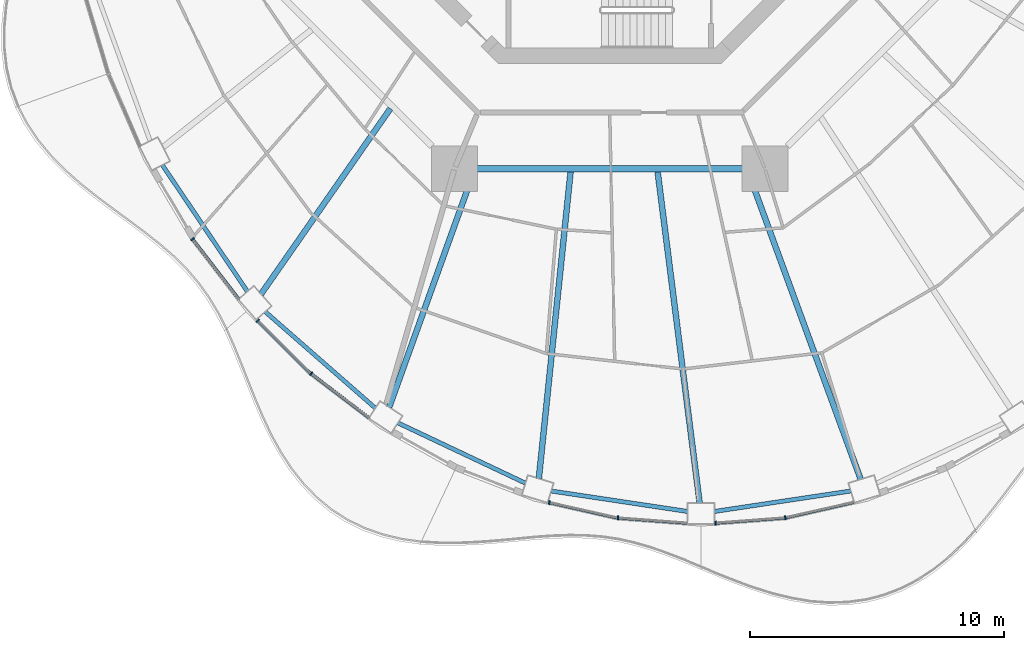
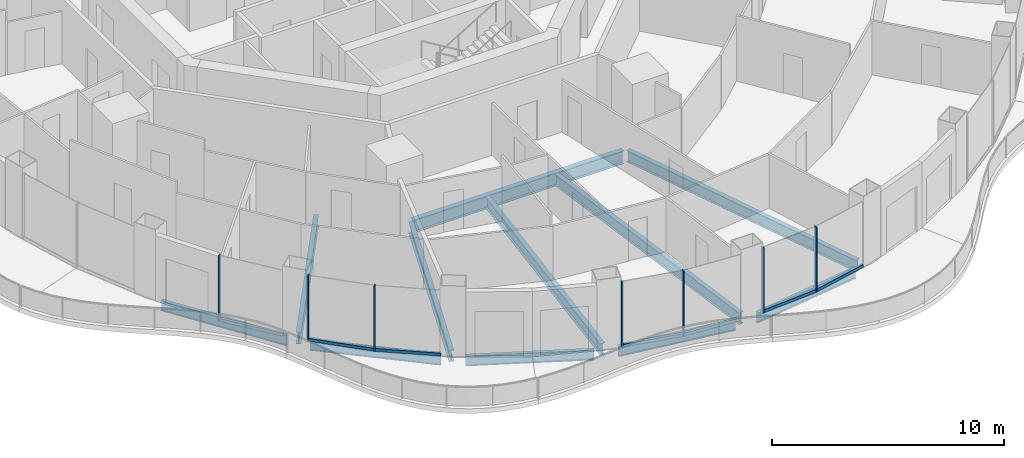
# One storey, part 2 of 19: 14 members, 11 beams, 7 elements without a shape of their own.
"""IFC4 building model written with IfcOpenShell, lengths in metres."""

import ifcopenshell
import ifcopenshell.guid

model = None  # the IFC model being written
_history = None  # IfcOwnerHistory: only IFC2X3 demands one
_inside = {}  # id of a spatial element -> (the spatial element, [elements in it])
_under = {}  # id of a project, library or spatial element -> (it, [spatial elements below it])
_declared = {}  # id of a project -> (the project, [libraries it declares])
_typed = {}  # id of a type object -> (the type object, [elements of that type])
_made_of = {}  # id of a material, layer set ... -> (it, [elements and type objects made of it])


def new_model(schema):
    """Start an empty IFC model of exactly this schema.

    Asked for "IFC4X3", IfcOpenShell would pick the latest addendum, in which some entities
    have other attributes; the version numbers below select the first issue.
    IFC2X3 requires an IfcOwnerHistory on every rooted entity: one is made here for all.
    """
    global model, _history
    if schema == "IFC4X3":
        model = ifcopenshell.file(schema_version=(4, 3, 0, 0))
    else:
        model = ifcopenshell.file(schema=schema)
    _inside.clear()
    _under.clear()
    _declared.clear()
    _typed.clear()
    _made_of.clear()
    _history = None
    if model.schema == "IFC2X3":
        org = make("IfcOrganization", Name="unknown")
        user = make(
            "IfcPersonAndOrganization",
            ThePerson=make("IfcPerson", FamilyName="unknown"),
            TheOrganization=org,
        )
        app = make(
            "IfcApplication",
            ApplicationDeveloper=org,
            Version="unknown",
            ApplicationFullName="unknown",
            ApplicationIdentifier="unknown",
        )
        _history = make(
            "IfcOwnerHistory",
            OwningUser=user,
            OwningApplication=app,
            ChangeAction="ADDED",
            CreationDate=0,
        )
    return model


def make(cls, **values):
    """One entity of the class cls with the attributes given. An attribute that is None is left unset."""
    return model.create_entity(
        cls, **{name: value for name, value in values.items() if value is not None}
    )


def rooted(cls, **values):
    """An entity with a GlobalId (a new one), such as an element, a storey or a relation."""
    return make(cls, GlobalId=ifcopenshell.guid.new(), OwnerHistory=_history, **values)


def si_unit(unit_type, name, prefix=None):
    """IfcSIUnit, for example si_unit("LENGTHUNIT", "METRE", prefix="MILLI")."""
    return make("IfcSIUnit", UnitType=unit_type, Prefix=prefix, Name=name)


def assignment(units):
    """IfcUnitAssignment: the units of a project."""
    return None if units is None else make("IfcUnitAssignment", Units=units)


def point(xyz):
    """IfcCartesianPoint."""
    return None if xyz is None else make("IfcCartesianPoint", Coordinates=xyz)


def direction(xyz):
    """IfcDirection."""
    return None if xyz is None else make("IfcDirection", DirectionRatios=xyz)


def frame(location, z_axis=None, x_axis=None):
    """IfcAxis2Placement3D, a coordinate frame: its origin and axes. An axis left out is left unset."""
    return make(
        "IfcAxis2Placement3D",
        Location=point(location),
        Axis=direction(z_axis),
        RefDirection=direction(x_axis),
    )


def frame_2d(location, x_axis=None):
    """IfcAxis2Placement2D, a coordinate frame in the plane: its origin and x axis."""
    return make(
        "IfcAxis2Placement2D", Location=point(location), RefDirection=direction(x_axis)
    )


def origin():
    """The frame at (0, 0, 0) with its axes left unset."""
    return frame((0.0, 0.0, 0.0))


def origin_2d():
    """The frame at (0, 0) in the plane with its x axis left unset."""
    return frame_2d((0.0, 0.0))


def place(relative_to, where):
    """IfcLocalPlacement: puts the frame where relative to a parent placement (None: the world)."""
    return make(
        "IfcLocalPlacement", PlacementRelTo=relative_to, RelativePlacement=where
    )


def context(
    kind, dimensions, precision=None, world=None, true_north=None, identifier=None
):
    """IfcGeometricRepresentationContext, for example the 3D "Model" context."""
    return make(
        "IfcGeometricRepresentationContext",
        ContextIdentifier=identifier,
        ContextType=kind,
        CoordinateSpaceDimension=dimensions,
        Precision=precision,
        WorldCoordinateSystem=world,
        TrueNorth=true_north,
    )


def subcontext(parent, identifier, kind, view, scale=None):
    """IfcGeometricRepresentationSubContext, for example "Body" below "Model"."""
    return make(
        "IfcGeometricRepresentationSubContext",
        ContextIdentifier=identifier,
        ContextType=kind,
        ParentContext=parent,
        TargetScale=scale,
        TargetView=view,
    )


def project(units=None, contexts=None):
    """IfcProject with its units and contexts."""
    return rooted(
        "IfcProject",
        Name="project",
        RepresentationContexts=contexts,
        UnitsInContext=assignment(units),
    )


def spatial(cls, under=None, at=None, **own):
    """A site, building, storey or space (cls), placed at a placement, below another one or the project."""
    s = rooted(cls, ObjectPlacement=at, **own)
    if under is not None:
        _under.setdefault(under.id(), (under, []))[1].append(s)
    return s


def profile(cls, at=None, kind="AREA", **sizes):
    """A parametric profile (cls). Its sizes go by their IFC names, for example OverallWidth=200.0."""
    return make(cls, ProfileType=kind, Position=at, **sizes)


def rectangle(**sizes):
    """IfcRectangleProfileDef."""
    return profile("IfcRectangleProfileDef", **sizes)


def i_section(**sizes):
    """IfcIShapeProfileDef."""
    return profile("IfcIShapeProfileDef", **sizes)


def extrude(swept, where, along, depth):
    """IfcExtrudedAreaSolid: the profile swept, set in the frame where, extruded along a direction by depth."""
    return make(
        "IfcExtrudedAreaSolid",
        SweptArea=swept,
        Position=where,
        ExtrudedDirection=direction(along),
        Depth=depth,
    )


def shape(context_of_items, identifier, shape_type, items):
    """IfcShapeRepresentation: the items that make up one representation, for example the "Body"."""
    return make(
        "IfcShapeRepresentation",
        ContextOfItems=context_of_items,
        RepresentationIdentifier=identifier,
        RepresentationType=shape_type,
        Items=items,
    )


def material(Name=None, Category=None):
    """IfcMaterial."""
    return make("IfcMaterial", Name=Name, Category=Category)


def layer(
    of_material, thickness, ventilated=None, Name=None, Category=None, Priority=None
):
    """IfcMaterialLayer: one layer of a wall or slab, of a material (None: an air gap)."""
    return make(
        "IfcMaterialLayer",
        Material=of_material,
        LayerThickness=thickness,
        IsVentilated=ventilated,
        Name=Name,
        Category=Category,
        Priority=Priority,
    )


def layer_set(layers, Name=None):
    """IfcMaterialLayerSet."""
    return make("IfcMaterialLayerSet", MaterialLayers=layers, LayerSetName=Name)


def material_profile(
    of_material, cross_section, Name=None, Category=None, Priority=None
):
    """IfcMaterialProfile: a cross section and its material."""
    return make(
        "IfcMaterialProfile",
        Name=Name,
        Material=of_material,
        Profile=cross_section,
        Priority=Priority,
        Category=Category,
    )


def profile_set(profiles, Name=None, composite=None):
    """IfcMaterialProfileSet."""
    return make(
        "IfcMaterialProfileSet",
        Name=Name,
        MaterialProfiles=profiles,
        CompositeProfile=composite,
    )


def made_of(thing, what):
    """Note that an element or type object is made of a material, layer set ...; save() writes the relation."""
    if what is not None:
        _made_of.setdefault(what.id(), (what, []))[1].append(thing)
    return thing


def type_object(cls, material=None, **own):
    """A type object (cls), such as IfcWallType, which elements share."""
    return made_of(rooted(cls, **own), material)


def element(
    cls,
    number,
    at=None,
    inside=None,
    cuts=None,
    type_object=None,
    material=None,
    context=None,
    identifier="Body",
    shape_type=None,
    held_by="IfcProductDefinitionShape",
    body=None,
    shapes=None,
    **own,
):
    """One element of the class cls, such as IfcWall. Its Tag is "e" and its number.

    at: its placement. inside: the storey or other place that contains it. cuts: it is an
    opening in that element (IfcRelVoidsElement). A single representation is given by context,
    identifier, shape_type and body (its items); several are given by shapes. held_by: the class
    of the entity that holds the representations. save() writes the other relations.
    """
    e = rooted(cls, Tag="e%d" % number, ObjectPlacement=at, **own)
    if body is not None:
        shapes = [shape(context, identifier, shape_type, body)]
    if shapes is not None:
        e.Representation = make(held_by, Representations=shapes)
    if inside is not None:
        _inside.setdefault(inside.id(), (inside, []))[1].append(e)
    if cuts is not None:
        rooted(
            "IfcRelVoidsElement", RelatingBuildingElement=cuts, RelatedOpeningElement=e
        )
    if type_object is not None:
        _typed.setdefault(type_object.id(), (type_object, []))[1].append(e)
    return made_of(e, material)


def aggregate(whole, parts):
    """IfcRelAggregates: a whole, such as a stair, and the parts it consists of."""
    return rooted("IfcRelAggregates", RelatingObject=whole, RelatedObjects=parts)


def save(model, path):
    """Write the relations noted so far, then the file.

    IfcRelAggregates (storeys below a building ...), IfcRelContainedInSpatialStructure (elements
    in a storey), IfcRelDefinesByType, IfcRelAssociatesMaterial and IfcRelDeclares: one each for
    every whole, place, type object, material and project.
    """
    for whole, parts in _under.values():
        aggregate(whole, parts)
    for where, things in _inside.values():
        rooted(
            "IfcRelContainedInSpatialStructure",
            RelatedElements=things,
            RelatingStructure=where,
        )
    for kind, things in _typed.values():
        rooted("IfcRelDefinesByType", RelatedObjects=things, RelatingType=kind)
    for what, things in _made_of.values():
        rooted("IfcRelAssociatesMaterial", RelatedObjects=things, RelatingMaterial=what)
    for by, libraries in _declared.values():
        rooted("IfcRelDeclares", RelatingContext=by, RelatedDefinitions=libraries)
    model.write(path)


model = new_model("IFC4")

# Units and contexts
model_context = context("Model", 3, precision=1e-05, world=origin(), true_north=direction((0.0, 1.0)))
body_context = subcontext(model_context, "Body", "Model", "MODEL_VIEW")
ifc_project = project(units=[si_unit("LENGTHUNIT", "METRE"), si_unit("AREAUNIT", "SQUARE_METRE"), si_unit("VOLUMEUNIT", "CUBIC_METRE"), si_unit("PLANEANGLEUNIT", "RADIAN"), si_unit("MASSUNIT", "GRAM", prefix="KILO")], contexts=[model_context])

# Site, building, storey
site_placement = place(None, origin())
site = spatial("IfcSite", under=ifc_project, at=site_placement, CompositionType="ELEMENT")
building_placement = place(site_placement, origin())
building = spatial("IfcBuilding", under=site, at=building_placement, Name="Nagisa Residences", CompositionType="ELEMENT")
storey_placement = place(building_placement, frame((0.0, 0.0, 184.39990234375)))
storey = spatial("IfcBuildingStorey", under=building, at=storey_placement, Name="L46", CompositionType="ELEMENT", Elevation=184.39990234375)

# Curtain wall, member
ifc_material_1 = material(Name="Concrete-coloured aluminium curtain wall system", Category="concrete")
ifc_layer = layer(ifc_material_1, 0.159912109375)
ifc_layer_set = layer_set([ifc_layer], Name="CW1 CURTAIN WALL")
curtain_wall_type = type_object("IfcCurtainWallType", Name="CW1 CURTAIN WALL", PredefinedType="NOTDEFINED", material=ifc_layer_set)
curtain_wall_1_placement = place(storey_placement, origin())
curtain_wall_1 = element("IfcCurtainWall", 1, at=curtain_wall_1_placement, inside=storey, type_object=curtain_wall_type, Name="cw:CW1:L46:29", PredefinedType="NOTDEFINED")
ifc_material_2 = material(Name="Concrete-coloured aluminium", Category="concrete")
ifc_material_profile_1 = material_profile(ifc_material_2, rectangle(XDim=0.159912109375, YDim=0.06005859375, at=origin_2d()), Name="CW1 MULLION 160x60")
ifc_profile_set_1 = profile_set([ifc_material_profile_1], Name="Concrete-coloured aluminium")
member_type_1 = type_object("IfcMemberType", Name="CW1 MULLION 160x60", PredefinedType="MULLION", material=ifc_profile_set_1)
member_1_placement = place(storey_placement, frame((-16.44970703125, -17.552978515625, 0.0), z_axis=(0.0, 0.0, 1.0), x_axis=(0.792070340816, 0.610429828235, 0.0)))
member_1 = element("IfcMember", 2, at=member_1_placement, type_object=member_type_1, Name="CW1 mullion", PredefinedType="MULLION", context=body_context, shape_type="SweptSolid", body=[
    extrude(rectangle(XDim=0.159912109375, YDim=0.06005859375, at=origin_2d()), origin(), (0.0, 0.0, 1.0), 3.440185546875),
])

curtain_wall_2_placement = place(storey_placement, origin())
curtain_wall_2 = element("IfcCurtainWall", 3, at=curtain_wall_2_placement, inside=storey, type_object=curtain_wall_type, Name="cw:CW1:L46:30", PredefinedType="NOTDEFINED")
member_2_placement = place(storey_placement, frame((-13.875732421875, -20.770751953125, 0.0), z_axis=(0.0, 0.0, 1.0), x_axis=(0.706376885714, 0.707835924016, 0.0)))
member_2 = element("IfcMember", 4, at=member_2_placement, type_object=member_type_1, Name="CW1 mullion", PredefinedType="MULLION", context=body_context, shape_type="SweptSolid", body=[
    extrude(rectangle(XDim=0.159912109375, YDim=0.06005859375, at=origin_2d()), origin(), (0.0, 0.0, 1.0), 3.440185546875),
])

curtain_wall_3_placement = place(storey_placement, origin())
curtain_wall_3 = element("IfcCurtainWall", 5, at=curtain_wall_3_placement, inside=storey, type_object=curtain_wall_type, Name="cw:CW1:L46:31", PredefinedType="NOTDEFINED")
member_3_placement = place(storey_placement, frame((-11.77490234375, -22.862548828125, 0.0), z_axis=(0.0, 0.0, 1.0), x_axis=(0.605255421737, 0.79603132756, 0.0)))
member_3 = element("IfcMember", 6, at=member_3_placement, type_object=member_type_1, Name="CW1 mullion", PredefinedType="MULLION", context=body_context, shape_type="SweptSolid", body=[
    extrude(rectangle(XDim=0.159912109375, YDim=0.06005859375, at=origin_2d()), origin(), (0.0, 0.0, 1.0), 3.440185546875),
])

curtain_wall_4_placement = place(storey_placement, origin())
curtain_wall_4 = element("IfcCurtainWall", 7, at=curtain_wall_4_placement, inside=storey, type_object=curtain_wall_type, Name="cw:CW1:L46:34", PredefinedType="NOTDEFINED")
member_4_placement = place(storey_placement, frame((-2.38427734375, -27.941162109375, 0.0), z_axis=(0.0, 0.0, 1.0), x_axis=(0.2207639201, 0.975327274089, 0.0)))
member_4 = element("IfcMember", 8, at=member_4_placement, type_object=member_type_1, Name="CW1 mullion", PredefinedType="MULLION", context=body_context, shape_type="SweptSolid", body=[
    extrude(rectangle(XDim=0.159912109375, YDim=0.06005859375, at=origin_2d()), origin(), (0.0, 0.0, 1.0), 3.440185546875),
])

curtain_wall_5_placement = place(storey_placement, origin())
curtain_wall_5 = element("IfcCurtainWall", 9, at=curtain_wall_5_placement, inside=storey, type_object=curtain_wall_type, Name="cw:CW1:L46:35", PredefinedType="NOTDEFINED")
member_5_placement = place(storey_placement, frame((0.32373046875, -28.550537109375, 0.0), z_axis=(0.0, 0.0, 1.0), x_axis=(0.074377355493, 0.997230168512, 0.0)))
member_5 = element("IfcMember", 10, at=member_5_placement, type_object=member_type_1, Name="CW1 mullion", PredefinedType="MULLION", context=body_context, shape_type="SweptSolid", body=[
    extrude(rectangle(XDim=0.159912109375, YDim=0.06005859375, at=origin_2d()), origin(), (0.0, 0.0, 1.0), 3.440185546875),
])

curtain_wall_6_placement = place(storey_placement, origin())
curtain_wall_6 = element("IfcCurtainWall", 11, at=curtain_wall_6_placement, inside=storey, type_object=curtain_wall_type, Name="cw:CW1:L46:36", PredefinedType="NOTDEFINED")
member_6_placement = place(storey_placement, frame((4.17236328125, -28.752197265625, 0.0), z_axis=(0.0, 0.0, 1.0), x_axis=(-0.074377355493, 0.997230168512, 0.0)))
member_6 = element("IfcMember", 12, at=member_6_placement, type_object=member_type_1, Name="CW1 mullion", PredefinedType="MULLION", context=body_context, shape_type="SweptSolid", body=[
    extrude(rectangle(XDim=0.159912109375, YDim=0.06005859375, at=origin_2d()), origin(), (0.0, 0.0, 1.0), 3.440185546875),
])

curtain_wall_7_placement = place(storey_placement, origin())
curtain_wall_7 = element("IfcCurtainWall", 13, at=curtain_wall_7_placement, inside=storey, type_object=curtain_wall_type, Name="cw:CW1:L46:37", PredefinedType="NOTDEFINED")
member_7_placement = place(storey_placement, frame((6.923583984375, -28.543212890625, 0.0), z_axis=(0.0, 0.0, 1.0), x_axis=(-0.2207639201, 0.975327274089, 0.0)))
member_7 = element("IfcMember", 14, at=member_7_placement, type_object=member_type_1, Name="CW1 mullion", PredefinedType="MULLION", context=body_context, shape_type="SweptSolid", body=[
    extrude(rectangle(XDim=0.159912109375, YDim=0.06005859375, at=origin_2d()), origin(), (0.0, 0.0, 1.0), 3.440185546875),
])

# Member
ifc_material_3 = material(Name="Concrete-coloured aluminium", Category="concrete")
ifc_material_profile_2 = material_profile(ifc_material_3, rectangle(XDim=0.1201171875, YDim=0.14990234375, at=origin_2d()), Name="CW1 TRANSOM 120x150")
ifc_profile_set_2 = profile_set([ifc_material_profile_2], Name="Concrete-coloured aluminium")
member_type_2 = type_object("IfcMemberType", Name="CW1 TRANSOM 120x150", PredefinedType="USERDEFINED", material=ifc_profile_set_2)
member_8_placement = place(storey_placement, frame((-16.468017578125, -17.529052734375, 0.0751953125), z_axis=(0.610398538814, -0.792094453846, 0.0), x_axis=(0.792094453846, 0.610398538814, 0.0)))
member_8 = element("IfcMember", 15, at=member_8_placement, type_object=member_type_2, Name="CW1 transom", ObjectType="TRANSOM", PredefinedType="USERDEFINED", context=body_context, shape_type="SweptSolid", body=[
    extrude(rectangle(XDim=0.1201171875, YDim=0.14990234375, at=origin_2d()), origin(), (0.0, 0.0, 1.0), 3.035400390625),
])

aggregate(curtain_wall_1, [member_1, member_8])

member_9_placement = place(storey_placement, frame((-13.89697265625, -20.74951171875, 0.0751953125), z_axis=(0.707803821372, -0.706409053206, 0.0), x_axis=(0.706409053206, 0.707803821372, 0.0)))
member_9 = element("IfcMember", 16, at=member_9_placement, type_object=member_type_2, Name="CW1 transom", ObjectType="TRANSOM", PredefinedType="USERDEFINED", context=body_context, shape_type="SweptSolid", body=[
    extrude(rectangle(XDim=0.1201171875, YDim=0.14990234375, at=origin_2d()), origin(), (0.0, 0.0, 1.0), 2.9755859375),
])

aggregate(curtain_wall_2, [member_2, member_9])

member_10_placement = place(storey_placement, frame((-11.798828125, -22.844482421875, 0.0751953125), z_axis=(0.796055733703, -0.60522332146, 0.0), x_axis=(0.60522332146, 0.796055733703, 0.0)))
member_10 = element("IfcMember", 17, at=member_10_placement, type_object=member_type_2, Name="CW1 transom", ObjectType="TRANSOM", PredefinedType="USERDEFINED", context=body_context, shape_type="SweptSolid", body=[
    extrude(rectangle(XDim=0.1201171875, YDim=0.14990234375, at=origin_2d()), origin(), (0.0, 0.0, 1.0), 2.9169921875),
])

aggregate(curtain_wall_3, [member_3, member_10])

member_11_placement = place(storey_placement, frame((-2.413330078125, -27.9345703125, 0.0751953125), z_axis=(0.975324329911, -0.220776926974, 0.0), x_axis=(0.220776926974, 0.975324329911, 0.0)))
member_11 = element("IfcMember", 18, at=member_11_placement, type_object=member_type_2, Name="CW1 transom", ObjectType="TRANSOM", PredefinedType="USERDEFINED", context=body_context, shape_type="SweptSolid", body=[
    extrude(rectangle(XDim=0.1201171875, YDim=0.14990234375, at=origin_2d()), origin(), (0.0, 0.0, 1.0), 2.787841796875),
])

aggregate(curtain_wall_4, [member_4, member_11])

member_12_placement = place(storey_placement, frame((0.2939453125, -28.548095703125, 0.0751953125), z_axis=(0.99722504052, -0.074446078208, 0.0), x_axis=(0.074446078208, 0.99722504052, 0.0)))
member_12 = element("IfcMember", 19, at=member_12_placement, type_object=member_type_2, Name="CW1 transom", ObjectType="TRANSOM", PredefinedType="USERDEFINED", context=body_context, shape_type="SweptSolid", body=[
    extrude(rectangle(XDim=0.1201171875, YDim=0.14990234375, at=origin_2d()), origin(), (0.0, 0.0, 1.0), 2.77099609375),
])

aggregate(curtain_wall_5, [member_5, member_12])

member_13_placement = place(storey_placement, frame((4.142578125, -28.75439453125, 0.0751953125), z_axis=(0.997225528735, 0.074439538143, 0.0), x_axis=(-0.074439538143, 0.997225528735, 0.0)))
member_13 = element("IfcMember", 20, at=member_13_placement, type_object=member_type_2, Name="CW1 transom", ObjectType="TRANSOM", PredefinedType="USERDEFINED", context=body_context, shape_type="SweptSolid", body=[
    extrude(rectangle(XDim=0.1201171875, YDim=0.14990234375, at=origin_2d()), origin(), (0.0, 0.0, 1.0), 2.771240234375),
])

aggregate(curtain_wall_6, [member_6, member_13])

member_14_placement = place(storey_placement, frame((6.89453125, -28.550048828125, 0.0751953125), z_axis=(0.975324329911, 0.220776926974, 0.0), x_axis=(-0.220776926974, 0.975324329911, 0.0)))
member_14 = element("IfcMember", 21, at=member_14_placement, type_object=member_type_2, Name="CW1 transom", ObjectType="TRANSOM", PredefinedType="USERDEFINED", context=body_context, shape_type="SweptSolid", body=[
    extrude(rectangle(XDim=0.1201171875, YDim=0.14990234375, at=origin_2d()), origin(), (0.0, 0.0, 1.0), 2.787841796875),
])

aggregate(curtain_wall_7, [member_7, member_14])

# Beams
ifc_material_4 = material(Name="Steel ASTM A572 Gr 50", Category="steel")
ifc_material_profile_3 = material_profile(ifc_material_4, i_section(OverallWidth=0.25390625, OverallDepth=0.68408203125, WebThickness=0.012451171875, FlangeThickness=0.018798828125, at=origin_2d()), Name="W690x140")
ifc_profile_set_3 = profile_set([ifc_material_profile_3], Name="Steel ASTM A572 Gr 50")
beam_type_1 = type_object("IfcBeamType", Name="Inner ring beam W690x140", PredefinedType="BEAM", material=ifc_profile_set_3)
beam_1_placement = place(storey_placement, frame((-5.242919921875, -14.781982421875, -0.601806640625), z_axis=(1.0, 0.0, 0.0), x_axis=(0.0, 1.0, 0.0)))
element("IfcBeam", 22, at=beam_1_placement, inside=storey, type_object=beam_type_1, Name="beam:L46:ib6", PredefinedType="BEAM", context=body_context, shape_type="SweptSolid", body=[
    extrude(i_section(OverallWidth=0.25390625, OverallDepth=0.68408203125, WebThickness=0.012451171875, FlangeThickness=0.018798828125, at=origin_2d()), origin(), (0.0, 0.0, 1.0), 10.48583984375),
])
ifc_material_5 = material(Name="Steel ASTM A572 Gr 50", Category="steel")
ifc_material_profile_4 = material_profile(ifc_material_5, i_section(OverallWidth=0.166015625, OverallDepth=0.534912109375, WebThickness=0.01025390625, FlangeThickness=0.0166015625, at=origin_2d()), Name="W530x85")
ifc_profile_set_4 = profile_set([ifc_material_profile_4], Name="Steel ASTM A572 Gr 50")
beam_type_2 = type_object("IfcBeamType", Name="Perimeter ring beam W530x85", PredefinedType="BEAM", material=ifc_profile_set_4)
beam_2_placement = place(storey_placement, frame((-17.644287109375, -14.630615234375, -0.52734375), z_axis=(0.558152301307, -0.829738518177, 0.0), x_axis=(0.829738518177, 0.558152301307, 0.0)))
element("IfcBeam", 23, at=beam_2_placement, inside=storey, type_object=beam_type_2, Name="beam:L46:pb15", PredefinedType="BEAM", context=body_context, shape_type="SweptSolid", body=[
    extrude(i_section(OverallWidth=0.166015625, OverallDepth=0.534912109375, WebThickness=0.01025390625, FlangeThickness=0.0166015625, at=origin_2d()), origin(), (0.0, 0.0, 1.0), 6.013916015625),
])
beam_3_placement = place(storey_placement, frame((-13.5869140625, -20.416259765625, -0.52734375), z_axis=(0.752461486776, -0.658636250838, 0.0), x_axis=(0.658636250838, 0.752461486776, 0.0)))
element("IfcBeam", 24, at=beam_3_placement, inside=storey, type_object=beam_type_2, Name="beam:L46:pb16", PredefinedType="BEAM", context=body_context, shape_type="SweptSolid", body=[
    extrude(i_section(OverallWidth=0.166015625, OverallDepth=0.534912109375, WebThickness=0.01025390625, FlangeThickness=0.0166015625, at=origin_2d()), origin(), (0.0, 0.0, 1.0), 5.776611328125),
])
beam_4_placement = place(storey_placement, frame((-8.353515625, -24.80224609375, -0.52734375), z_axis=(0.904157325884, -0.427199637232, 0.0), x_axis=(0.427199637232, 0.904157325884, 0.0)))
element("IfcBeam", 25, at=beam_4_placement, inside=storey, type_object=beam_type_2, Name="beam:L46:pb17", PredefinedType="BEAM", context=body_context, shape_type="SweptSolid", body=[
    extrude(i_section(OverallWidth=0.166015625, OverallDepth=0.534912109375, WebThickness=0.01025390625, FlangeThickness=0.0166015625, at=origin_2d()), origin(), (0.0, 0.0, 1.0), 5.56396484375),
])
for number, where, z_axis, x_axis, name in (
    (26, (-2.30810546875, -27.48779296875, -0.52734375), (0.988911312658, -0.148507291732, 0.0), (0.148507291732, 0.988911312658, 0.0), "beam:L46:pb18"),
    (27, (4.130126953125, -28.29541015625, -0.52734375), (0.988911312658, 0.148507291732, 0.0), (-0.148507291732, 0.988911312658, 0.0), "beam:L46:pb19"),
):
    element("IfcBeam", number, at=place(storey_placement, frame(where, z_axis=z_axis, x_axis=x_axis)), inside=storey, type_object=beam_type_2, Name=name, PredefinedType="BEAM", context=body_context, shape_type="SweptSolid", body=[
        extrude(i_section(OverallWidth=0.166015625, OverallDepth=0.534912109375, WebThickness=0.01025390625, FlangeThickness=0.0166015625, at=origin_2d()), origin(), (0.0, 0.0, 1.0), 5.438232421875),
    ])
ifc_material_6 = material(Name="Steel ASTM A572 Gr 50", Category="steel")
ifc_material_profile_5 = material_profile(ifc_material_6, i_section(OverallWidth=0.22802734375, OverallDepth=0.60302734375, WebThickness=0.010498046875, FlangeThickness=0.014892578125, at=origin_2d()), Name="W610x101")
ifc_profile_set_5 = profile_set([ifc_material_profile_5], Name="Steel ASTM A572 Gr 50")
beam_type_3 = type_object("IfcBeamType", Name="Radial beam W610x101", PredefinedType="BEAM", material=ifc_profile_set_5)
beam_5_placement = place(storey_placement, frame((-13.75048828125, -19.7216796875, -0.5615234375), z_axis=(0.571934479253, 0.82029930601, 0.0), x_axis=(-0.82029930601, 0.571934479253, 0.0)))
element("IfcBeam", 28, at=beam_5_placement, inside=storey, type_object=beam_type_3, Name="beam:L46:rb16", PredefinedType="BEAM", context=body_context, shape_type="SweptSolid", body=[
    extrude(i_section(OverallWidth=0.22802734375, OverallDepth=0.60302734375, WebThickness=0.010498046875, FlangeThickness=0.014892578125, at=origin_2d()), origin(), (0.0, 0.0, 1.0), 8.917724609375),
])
beam_6_placement = place(storey_placement, frame((-8.6962890625, -24.180908203125, -0.5615234375), z_axis=(0.338417364879, 0.940996114311, 0.0), x_axis=(-0.940996114311, 0.338417364879, 0.0)))
element("IfcBeam", 29, at=beam_6_placement, inside=storey, type_object=beam_type_3, Name="beam:L46:rb17", PredefinedType="BEAM", context=body_context, shape_type="SweptSolid", body=[
    extrude(i_section(OverallWidth=0.22802734375, OverallDepth=0.60302734375, WebThickness=0.010498046875, FlangeThickness=0.014892578125, at=origin_2d()), origin(), (0.0, 0.0, 1.0), 9.873291015625),
])
beam_7_placement = place(storey_placement, frame((-2.795654296875, -26.997314453125, -0.5615234375), z_axis=(0.103007948723, 0.994680532885, 0.0), x_axis=(-0.994680532885, 0.103007948723, 0.0)))
element("IfcBeam", 30, at=beam_7_placement, inside=storey, type_object=beam_type_3, Name="beam:L46:rb18", PredefinedType="BEAM", context=body_context, shape_type="SweptSolid", body=[
    extrude(i_section(OverallWidth=0.22802734375, OverallDepth=0.60302734375, WebThickness=0.010498046875, FlangeThickness=0.014892578125, at=origin_2d()), origin(), (0.0, 0.0, 1.0), 12.1728515625),
])
beam_8_placement = place(storey_placement, frame((3.548583984375, -27.9697265625, -0.5615234375), z_axis=(-0.125871302495, 0.992046579153, 0.0), x_axis=(-0.992046579153, -0.125871302495, 0.0)))
element("IfcBeam", 31, at=beam_8_placement, inside=storey, type_object=beam_type_3, Name="beam:L46:rb19", PredefinedType="BEAM", context=body_context, shape_type="SweptSolid", body=[
    extrude(i_section(OverallWidth=0.22802734375, OverallDepth=0.60302734375, WebThickness=0.010498046875, FlangeThickness=0.014892578125, at=origin_2d()), origin(), (0.0, 0.0, 1.0), 13.185546875),
])
beam_9_placement = place(storey_placement, frame((9.898681640625, -27.02734375, -0.5615234375), z_axis=(-0.343903309659, 0.939005065804, 0.0), x_axis=(-0.939005065804, -0.343903309659, 0.0)))
element("IfcBeam", 32, at=beam_9_placement, inside=storey, type_object=beam_type_3, Name="beam:L46:rb20", PredefinedType="BEAM", context=body_context, shape_type="SweptSolid", body=[
    extrude(i_section(OverallWidth=0.22802734375, OverallDepth=0.60302734375, WebThickness=0.010498046875, FlangeThickness=0.014892578125, at=origin_2d()), origin(), (0.0, 0.0, 1.0), 12.92529296875),
])

save(model, "model.ifc")
